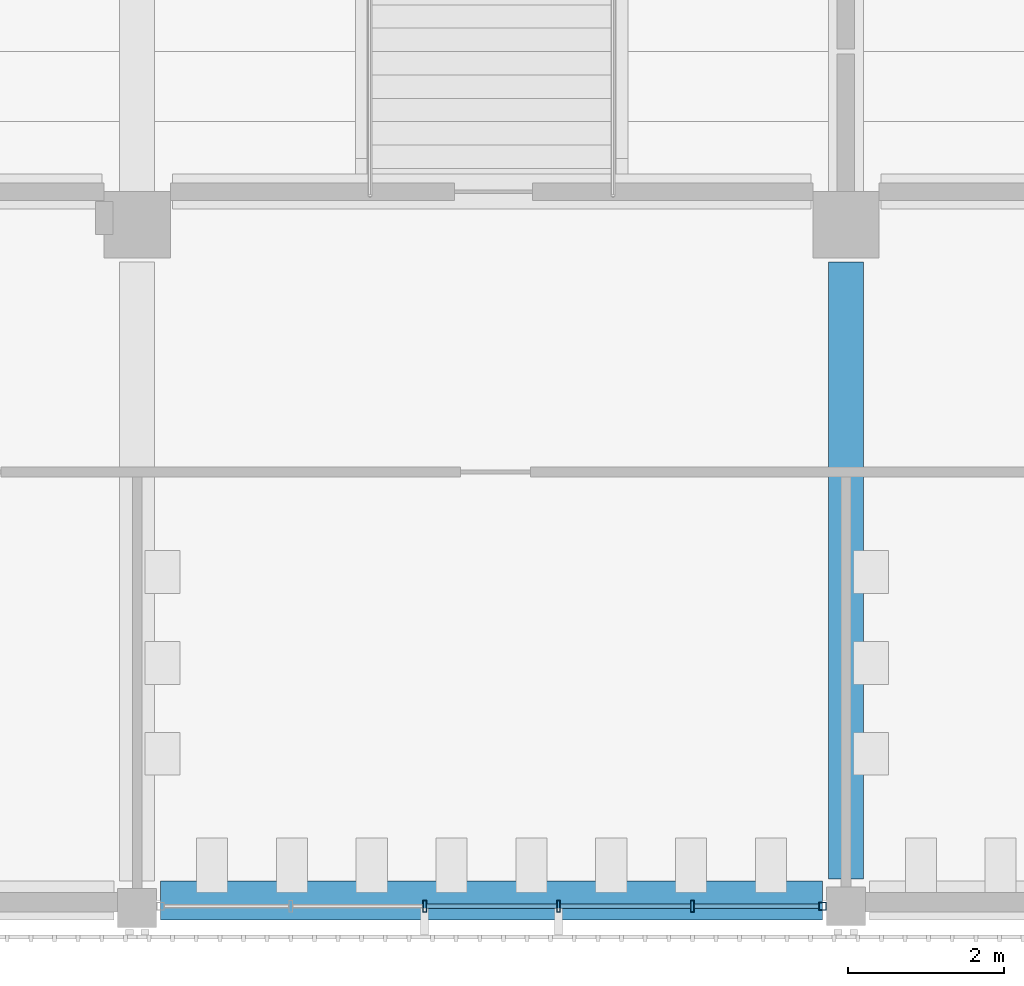
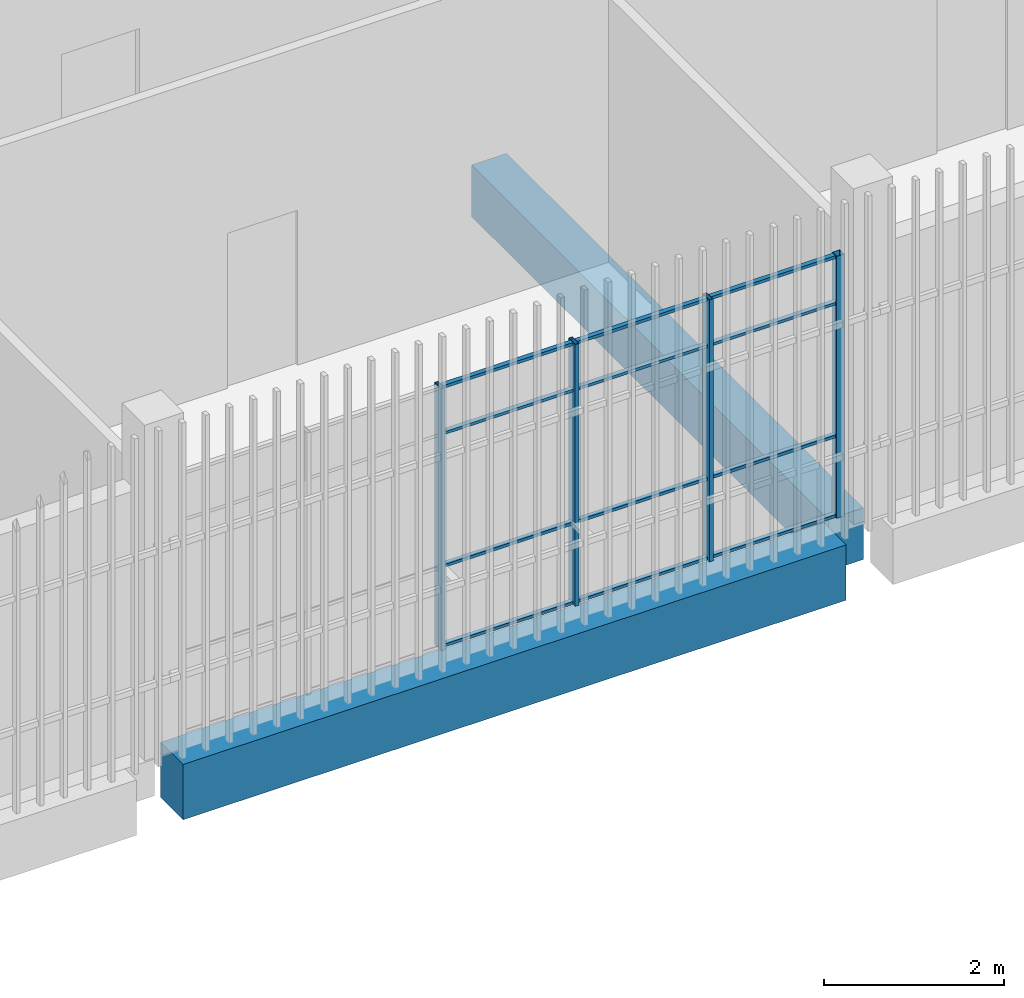
# One storey, part 12 of 139: 16 members, 2 beams, 1 element without a shape of its own.
"""IFC4 building model written with IfcOpenShell, lengths in metres."""

from ifc_helpers import new_model, si_unit, direction, frame, origin, origin_2d, place, context, subcontext, project, spatial, rectangle, hollow_rectangle, extrude, material, layer, layer_set, material_profile, profile_set, type_object, element, aggregate, save


model = new_model("IFC4")

# Units and contexts
model_context = context("Model", 3, precision=1e-05, world=origin(), true_north=direction((0.0, 1.0)))
body_context = subcontext(model_context, "Body", "Model", "MODEL_VIEW")
ifc_project = project(units=[si_unit("LENGTHUNIT", "METRE"), si_unit("AREAUNIT", "SQUARE_METRE"), si_unit("VOLUMEUNIT", "CUBIC_METRE"), si_unit("PLANEANGLEUNIT", "RADIAN"), si_unit("MASSUNIT", "GRAM", prefix="KILO")], contexts=[model_context])

# Site, building, storey
site_placement = place(None, origin())
site = spatial("IfcSite", under=ifc_project, at=site_placement, CompositionType="ELEMENT")
building_placement = place(site_placement, origin())
building = spatial("IfcBuilding", under=site, at=building_placement, Name="Shirokan Park Arena", CompositionType="ELEMENT")
storey_placement = place(building_placement, frame((0.0, 0.0, 15.469970703125)))
storey = spatial("IfcBuildingStorey", under=building, at=storey_placement, Name="L03", CompositionType="ELEMENT", Elevation=15.469970703125)

# Curtain wall, members
ifc_material_1 = material(Name="Steel and glass curtain wall", Category="steel")
ifc_layer = layer(ifc_material_1, 0.14990234375)
ifc_layer_set = layer_set([ifc_layer], Name="Steel and glass curtain wall 150 mm")
curtain_wall_type = type_object("IfcCurtainWallType", Name="Curtain wall exposed bay 150", PredefinedType="NOTDEFINED", material=ifc_layer_set)
curtain_wall_placement = place(storey_placement, origin())
curtain_wall = element("IfcCurtainWall", 1, at=curtain_wall_placement, inside=storey, type_object=curtain_wall_type, Name="Curtain wall south bay 6 L03", PredefinedType="NOTDEFINED")
ifc_material_2 = material(Name="Steel S355", Category="steel")
ifc_material_profile_1 = material_profile(ifc_material_2, hollow_rectangle(XDim=0.10009765625, YDim=0.10009765625, WallThickness=0.006103515625, at=origin_2d()), Name="RHS 100x100x6")
ifc_profile_set_1 = profile_set([ifc_material_profile_1], Name="Steel S355")
member_type_1 = type_object("IfcMemberType", Name="Mullion RHS 100x100x6", PredefinedType="MULLION", material=ifc_profile_set_1)
member_1_placement = place(storey_placement, frame((54.300048828125, -0.074951171875, 0.0), z_axis=(0.0, 0.0, 1.0), x_axis=(0.0, 1.0, 0.0)))
member_1 = element("IfcMember", 2, at=member_1_placement, type_object=member_type_1, Name="CW1 mullion 6", PredefinedType="MULLION", context=body_context, shape_type="SweptSolid", body=[
    extrude(hollow_rectangle(XDim=0.10009765625, YDim=0.10009765625, WallThickness=0.006103515625, at=origin_2d()), origin(), (0.0, 0.0, 1.0), 3.550048828125),
])
ifc_material_profile_2 = material_profile(ifc_material_2, hollow_rectangle(XDim=0.14990234375, YDim=0.050048828125, WallThickness=0.006103515625, at=origin_2d()), Name="RHS 150x50x6")
ifc_profile_set_2 = profile_set([ifc_material_profile_2], Name="Steel S355")
member_type_2 = type_object("IfcMemberType", Name="Mullion RHS 150x50x6", PredefinedType="MULLION", material=ifc_profile_set_2)
member_2_placement = place(storey_placement, frame((49.18994140625, -0.074951171875, 0.0), z_axis=(0.0, 0.0, 1.0), x_axis=(0.0, 1.0, 0.0)))
member_2 = element("IfcMember", 3, at=member_2_placement, type_object=member_type_2, Name="CW1 mullion 3", PredefinedType="MULLION", context=body_context, shape_type="SweptSolid", body=[
    extrude(hollow_rectangle(XDim=0.14990234375, YDim=0.050048828125, WallThickness=0.006103515625, at=origin_2d()), origin(), (0.0, 0.0, 1.0), 3.550048828125),
])
member_3_placement = place(storey_placement, frame((50.909912109375, -0.074951171875, 0.0), z_axis=(0.0, 0.0, 1.0), x_axis=(0.0, 1.0, 0.0)))
member_3 = element("IfcMember", 4, at=member_3_placement, type_object=member_type_2, Name="CW1 mullion 4", PredefinedType="MULLION", context=body_context, shape_type="SweptSolid", body=[
    extrude(hollow_rectangle(XDim=0.14990234375, YDim=0.050048828125, WallThickness=0.006103515625, at=origin_2d()), origin(), (0.0, 0.0, 1.0), 3.550048828125),
])
member_4_placement = place(storey_placement, frame((52.6298828125, -0.074951171875, 0.0), z_axis=(0.0, 0.0, 1.0), x_axis=(0.0, 1.0, 0.0)))
member_4 = element("IfcMember", 5, at=member_4_placement, type_object=member_type_2, Name="CW1 mullion 5", PredefinedType="MULLION", context=body_context, shape_type="SweptSolid", body=[
    extrude(hollow_rectangle(XDim=0.14990234375, YDim=0.050048828125, WallThickness=0.006103515625, at=origin_2d()), origin(), (0.0, 0.0, 1.0), 3.550048828125),
])

# Beams
ifc_material_3 = material(Name="Concrete C35", Category="concrete")
ifc_material_profile_3 = material_profile(ifc_material_3, rectangle(XDim=0.449951171875, YDim=0.699951171875, at=origin_2d()), Name="450x700")
ifc_profile_set_3 = profile_set([ifc_material_profile_3], Name="Concrete C35")
beam_type_1 = type_object("IfcBeamType", Name="RC girder 450x700", PredefinedType="BEAM", material=ifc_profile_set_3)
beam_1_placement = place(storey_placement, frame((54.60009765625, 0.275146484375, -0.64990234375), z_axis=(0.0, 1.0, 0.0), x_axis=(-1.0, 0.0, 0.0)))
element("IfcBeam", 6, at=beam_1_placement, inside=storey, type_object=beam_type_1, Name="Girder 7A-7B L03", PredefinedType="BEAM", context=body_context, shape_type="SweptSolid", body=[
    extrude(rectangle(XDim=0.449951171875, YDim=0.699951171875, at=origin_2d()), origin(), (0.0, 0.0, 1.0), 7.9248046875),
])
ifc_material_profile_4 = material_profile(ifc_material_3, rectangle(XDim=0.5, YDim=0.75, at=origin_2d()), Name="500x750")
ifc_profile_set_4 = profile_set([ifc_material_profile_4], Name="Concrete C35")
beam_type_2 = type_object("IfcBeamType", Name="RC girder 500x750", PredefinedType="BEAM", material=ifc_profile_set_4)
beam_2_placement = place(storey_placement, frame((45.800048828125, 0.0, -0.675048828125), z_axis=(1.0, 0.0, 0.0), x_axis=(0.0, 1.0, 0.0)))
element("IfcBeam", 7, at=beam_2_placement, inside=storey, type_object=beam_type_2, Name="Girder 6A-7A L03", PredefinedType="BEAM", context=body_context, shape_type="SweptSolid", body=[
    extrude(rectangle(XDim=0.5, YDim=0.75, at=origin_2d()), origin(), (0.0, 0.0, 1.0), 8.499755859375),
])

# Member
ifc_material_profile_5 = material_profile(ifc_material_2, hollow_rectangle(XDim=0.06005859375, YDim=0.0400390625, WallThickness=0.00390625, at=origin_2d()), Name="RHS 60x40x4")
ifc_profile_set_5 = profile_set([ifc_material_profile_5], Name="Steel S355")
member_type_3 = type_object("IfcMemberType", Name="Transom RHS 60x40x4", PredefinedType="MULLION", material=ifc_profile_set_5)
member_5_placement = place(storey_placement, frame((49.215087890625, -0.074951171875, 0.02001953125), z_axis=(1.0, 0.0, 0.0), x_axis=(0.0, 1.0, 0.0)))
member_5 = element("IfcMember", 8, at=member_5_placement, type_object=member_type_3, Name="CW1 transom 3.1", PredefinedType="MULLION", context=body_context, shape_type="SweptSolid", body=[
    extrude(hollow_rectangle(XDim=0.06005859375, YDim=0.0400390625, WallThickness=0.00390625, at=origin_2d()), origin(), (0.0, 0.0, 1.0), 1.669921875),
])

member_6_placement = place(storey_placement, frame((49.215087890625, -0.074951171875, 1.10009765625), z_axis=(1.0, 0.0, 0.0), x_axis=(0.0, 1.0, 0.0)))
member_6 = element("IfcMember", 9, at=member_6_placement, type_object=member_type_3, Name="CW1 transom 3.2", PredefinedType="MULLION", context=body_context, shape_type="SweptSolid", body=[
    extrude(hollow_rectangle(XDim=0.06005859375, YDim=0.0400390625, WallThickness=0.00390625, at=origin_2d()), origin(), (0.0, 0.0, 1.0), 1.669921875),
])

member_7_placement = place(storey_placement, frame((49.215087890625, -0.074951171875, 2.900146484375), z_axis=(1.0, 0.0, 0.0), x_axis=(0.0, 1.0, 0.0)))
member_7 = element("IfcMember", 10, at=member_7_placement, type_object=member_type_3, Name="CW1 transom 3.3", PredefinedType="MULLION", context=body_context, shape_type="SweptSolid", body=[
    extrude(hollow_rectangle(XDim=0.06005859375, YDim=0.0400390625, WallThickness=0.00390625, at=origin_2d()), origin(), (0.0, 0.0, 1.0), 1.669921875),
])

member_8_placement = place(storey_placement, frame((49.215087890625, -0.074951171875, 3.530029296875), z_axis=(1.0, 0.0, 0.0), x_axis=(0.0, 1.0, 0.0)))
member_8 = element("IfcMember", 11, at=member_8_placement, type_object=member_type_3, Name="CW1 transom 3.4", PredefinedType="MULLION", context=body_context, shape_type="SweptSolid", body=[
    extrude(hollow_rectangle(XDim=0.06005859375, YDim=0.0400390625, WallThickness=0.00390625, at=origin_2d()), origin(), (0.0, 0.0, 1.0), 1.669921875),
])

member_9_placement = place(storey_placement, frame((50.93505859375, -0.074951171875, 0.02001953125), z_axis=(1.0, 0.0, 0.0), x_axis=(0.0, 1.0, 0.0)))
member_9 = element("IfcMember", 12, at=member_9_placement, type_object=member_type_3, Name="CW1 transom 4.1", PredefinedType="MULLION", context=body_context, shape_type="SweptSolid", body=[
    extrude(hollow_rectangle(XDim=0.06005859375, YDim=0.0400390625, WallThickness=0.00390625, at=origin_2d()), origin(), (0.0, 0.0, 1.0), 1.669921875),
])

member_10_placement = place(storey_placement, frame((50.93505859375, -0.074951171875, 1.10009765625), z_axis=(1.0, 0.0, 0.0), x_axis=(0.0, 1.0, 0.0)))
member_10 = element("IfcMember", 13, at=member_10_placement, type_object=member_type_3, Name="CW1 transom 4.2", PredefinedType="MULLION", context=body_context, shape_type="SweptSolid", body=[
    extrude(hollow_rectangle(XDim=0.06005859375, YDim=0.0400390625, WallThickness=0.00390625, at=origin_2d()), origin(), (0.0, 0.0, 1.0), 1.669921875),
])

member_11_placement = place(storey_placement, frame((50.93505859375, -0.074951171875, 2.900146484375), z_axis=(1.0, 0.0, 0.0), x_axis=(0.0, 1.0, 0.0)))
member_11 = element("IfcMember", 14, at=member_11_placement, type_object=member_type_3, Name="CW1 transom 4.3", PredefinedType="MULLION", context=body_context, shape_type="SweptSolid", body=[
    extrude(hollow_rectangle(XDim=0.06005859375, YDim=0.0400390625, WallThickness=0.00390625, at=origin_2d()), origin(), (0.0, 0.0, 1.0), 1.669921875),
])

member_12_placement = place(storey_placement, frame((50.93505859375, -0.074951171875, 3.530029296875), z_axis=(1.0, 0.0, 0.0), x_axis=(0.0, 1.0, 0.0)))
member_12 = element("IfcMember", 15, at=member_12_placement, type_object=member_type_3, Name="CW1 transom 4.4", PredefinedType="MULLION", context=body_context, shape_type="SweptSolid", body=[
    extrude(hollow_rectangle(XDim=0.06005859375, YDim=0.0400390625, WallThickness=0.00390625, at=origin_2d()), origin(), (0.0, 0.0, 1.0), 1.669921875),
])

member_13_placement = place(storey_placement, frame((52.655029296875, -0.074951171875, 0.02001953125), z_axis=(1.0, 0.0, 0.0), x_axis=(0.0, 1.0, 0.0)))
member_13 = element("IfcMember", 16, at=member_13_placement, type_object=member_type_3, Name="CW1 transom 5.1", PredefinedType="MULLION", context=body_context, shape_type="SweptSolid", body=[
    extrude(hollow_rectangle(XDim=0.06005859375, YDim=0.0400390625, WallThickness=0.00390625, at=origin_2d()), origin(), (0.0, 0.0, 1.0), 1.594970703125),
])

member_14_placement = place(storey_placement, frame((52.655029296875, -0.074951171875, 1.10009765625), z_axis=(1.0, 0.0, 0.0), x_axis=(0.0, 1.0, 0.0)))
member_14 = element("IfcMember", 17, at=member_14_placement, type_object=member_type_3, Name="CW1 transom 5.2", PredefinedType="MULLION", context=body_context, shape_type="SweptSolid", body=[
    extrude(hollow_rectangle(XDim=0.06005859375, YDim=0.0400390625, WallThickness=0.00390625, at=origin_2d()), origin(), (0.0, 0.0, 1.0), 1.594970703125),
])

member_15_placement = place(storey_placement, frame((52.655029296875, -0.074951171875, 2.900146484375), z_axis=(1.0, 0.0, 0.0), x_axis=(0.0, 1.0, 0.0)))
member_15 = element("IfcMember", 18, at=member_15_placement, type_object=member_type_3, Name="CW1 transom 5.3", PredefinedType="MULLION", context=body_context, shape_type="SweptSolid", body=[
    extrude(hollow_rectangle(XDim=0.06005859375, YDim=0.0400390625, WallThickness=0.00390625, at=origin_2d()), origin(), (0.0, 0.0, 1.0), 1.594970703125),
])

member_16_placement = place(storey_placement, frame((52.655029296875, -0.074951171875, 3.530029296875), z_axis=(1.0, 0.0, 0.0), x_axis=(0.0, 1.0, 0.0)))
member_16 = element("IfcMember", 19, at=member_16_placement, type_object=member_type_3, Name="CW1 transom 5.4", PredefinedType="MULLION", context=body_context, shape_type="SweptSolid", body=[
    extrude(hollow_rectangle(XDim=0.06005859375, YDim=0.0400390625, WallThickness=0.00390625, at=origin_2d()), origin(), (0.0, 0.0, 1.0), 1.594970703125),
])

aggregate(curtain_wall, [member_2, member_3, member_4, member_1, member_5, member_6, member_7, member_8, member_9, member_10, member_11, member_12, member_13, member_14, member_15, member_16])

save(model, "model.ifc")
